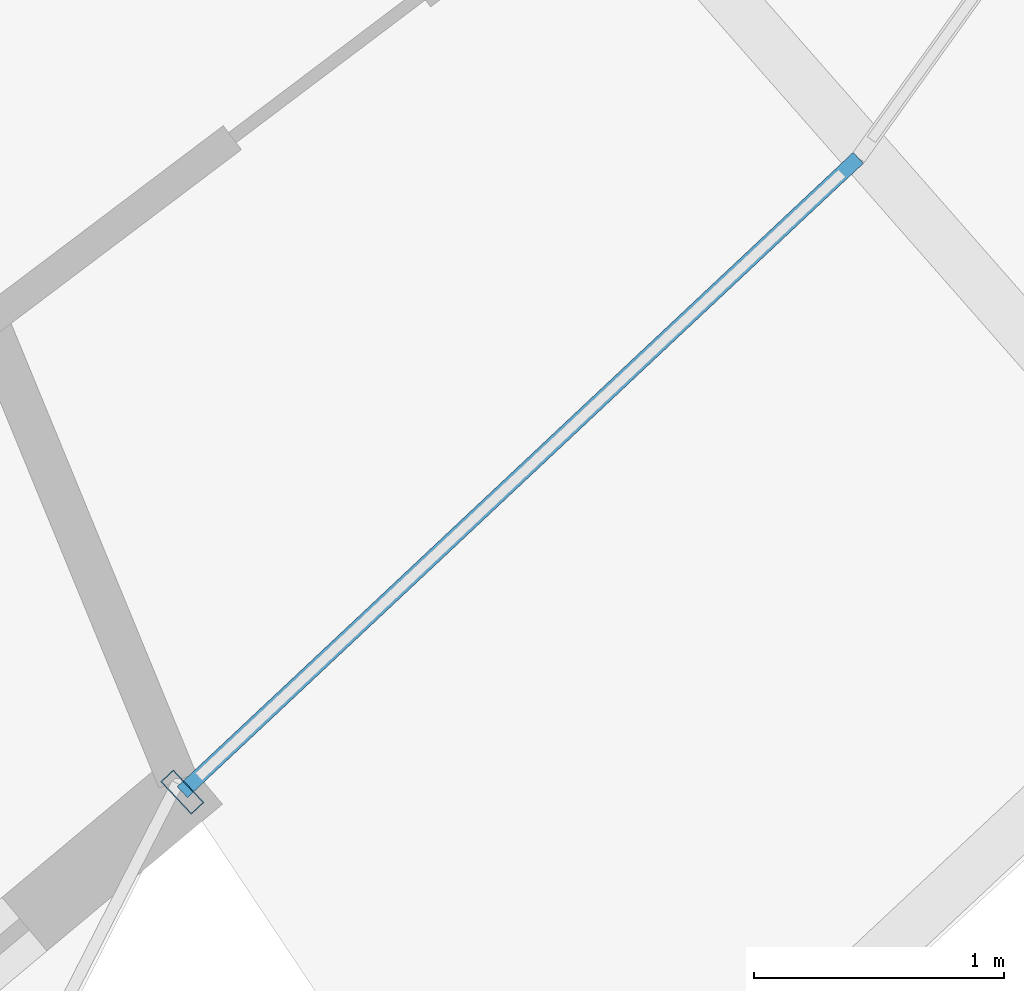
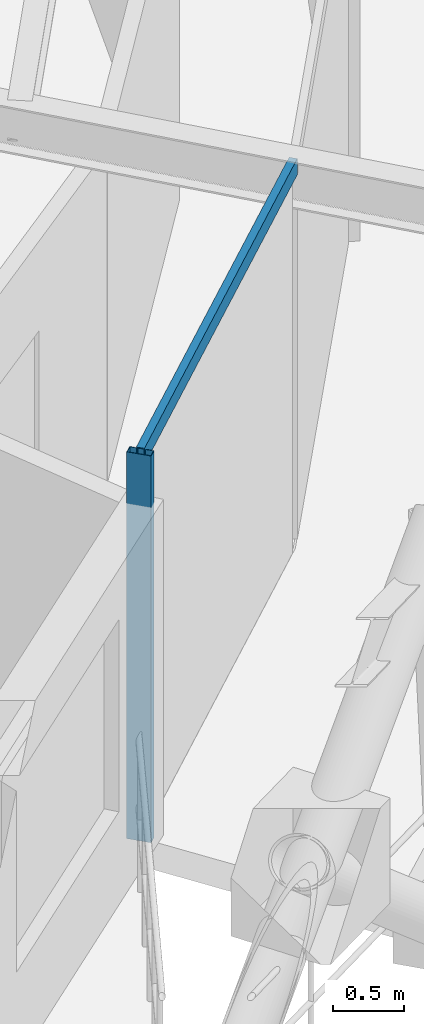
# One storey, part 2 of 16: 2 members, 1 element without a shape of its own.
"""IFC4 building model written with IfcOpenShell, lengths in metres."""

from ifc_helpers import new_model, si_unit, direction, frame, origin, origin_2d, place, context, subcontext, project, spatial, hollow_rectangle, extrude, material, layer, layer_set, material_profile, profile_set, type_object, element, aggregate, save


model = new_model("IFC4")

# Units and contexts
model_context = context("Model", 3, precision=1e-05, world=origin(), true_north=direction((0.0, 1.0)))
body_context = subcontext(model_context, "Body", "Model", "MODEL_VIEW")
ifc_project = project(units=[si_unit("LENGTHUNIT", "METRE"), si_unit("AREAUNIT", "SQUARE_METRE"), si_unit("VOLUMEUNIT", "CUBIC_METRE"), si_unit("PLANEANGLEUNIT", "RADIAN"), si_unit("MASSUNIT", "GRAM", prefix="KILO")], contexts=[model_context])

# Site, building, storey
site_placement = place(None, origin())
site = spatial("IfcSite", under=ifc_project, at=site_placement, CompositionType="ELEMENT")
building_placement = place(site_placement, origin())
building = spatial("IfcBuilding", under=site, at=building_placement, Name="Veldorina Hangang Commons", CompositionType="ELEMENT")
storey_placement = place(building_placement, frame((0.0, 0.0, 283.199951171875)))
storey = spatial("IfcBuildingStorey", under=building, at=storey_placement, Name="L74", CompositionType="ELEMENT", Elevation=283.199951171875)

# Curtain wall, members
ifc_material_1 = material(Name="Glass Low-E Selective", Category="glass")
ifc_layer = layer(ifc_material_1, 0.179931640625)
ifc_layer_set = layer_set([ifc_layer], Name="Glass Low-E Selective")
curtain_wall_type = type_object("IfcCurtainWallType", Name="CW-SYS-Z3", PredefinedType="NOTDEFINED", material=ifc_layer_set)
curtain_wall_placement = place(storey_placement, origin())
curtain_wall = element("IfcCurtainWall", 1, at=curtain_wall_placement, inside=storey, type_object=curtain_wall_type, Name="L74 unitised curtain wall CW-L74-R2", PredefinedType="NOTDEFINED")
ifc_material_2 = material(Name="Aluminium Anodized AA6063-T6", Category="aluminium")
ifc_material_profile_1 = material_profile(ifc_material_2, hollow_rectangle(XDim=0.070068359375, YDim=0.179931640625, WallThickness=0.00390625, at=origin_2d()), Name="ALU-RHS-180x70x4")
ifc_profile_set_1 = profile_set([ifc_material_profile_1], Name="Aluminium Anodized AA6063-T6")
member_type_1 = type_object("IfcMemberType", Name="CW-MUL-180", PredefinedType="MULLION", material=ifc_profile_set_1)
member_1_placement = place(storey_placement, frame((41.927978515625, 7.014404296875, 0.0), z_axis=(0.0, 0.0, 1.0), x_axis=(0.729279189979, 0.684216239989, 0.0)))
member_1 = element("IfcMember", 2, at=member_1_placement, type_object=member_type_1, Name="CW-L74-R2 vertical mullion 1", PredefinedType="MULLION", context=body_context, shape_type="SweptSolid", body=[
    extrude(hollow_rectangle(XDim=0.070068359375, YDim=0.179931640625, WallThickness=0.00390625, at=origin_2d()), origin(), (0.0, 0.0, 1.0), 3.320068359375),
])
ifc_material_profile_2 = material_profile(ifc_material_2, hollow_rectangle(XDim=0.06005859375, YDim=0.139892578125, WallThickness=0.00341796875, at=origin_2d()), Name="ALU-RHS-140x60x3.5")
ifc_profile_set_2 = profile_set([ifc_material_profile_2], Name="Aluminium Anodized AA6063-T6")
member_type_2 = type_object("IfcMemberType", Name="CW-TRN-140", PredefinedType="USERDEFINED", material=ifc_profile_set_2)
member_2_placement = place(storey_placement, frame((41.927978515625, 7.014404296875, 3.280029296875), z_axis=(0.729268530409, 0.684227601428, 0.0), x_axis=(-0.684227601428, 0.729268530409, 0.0)))
member_2 = element("IfcMember", 3, at=member_2_placement, type_object=member_type_2, Name="CW-L74-R2 facet 1 transom 1", ObjectType="TRANSOM", PredefinedType="USERDEFINED", context=body_context, shape_type="SweptSolid", body=[
    extrude(hollow_rectangle(XDim=0.06005859375, YDim=0.139892578125, WallThickness=0.00341796875, at=origin_2d()), origin(), (0.0, 0.0, 1.0), 3.712890625),
])
aggregate(curtain_wall, [member_1, member_2])

save(model, "model.ifc")
